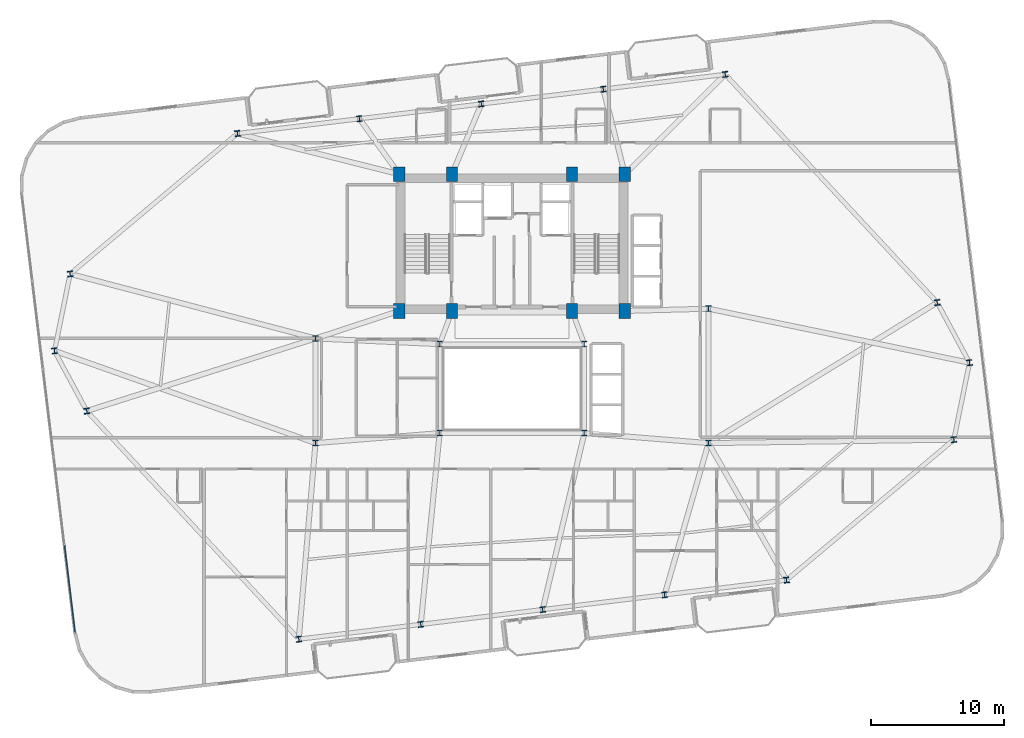
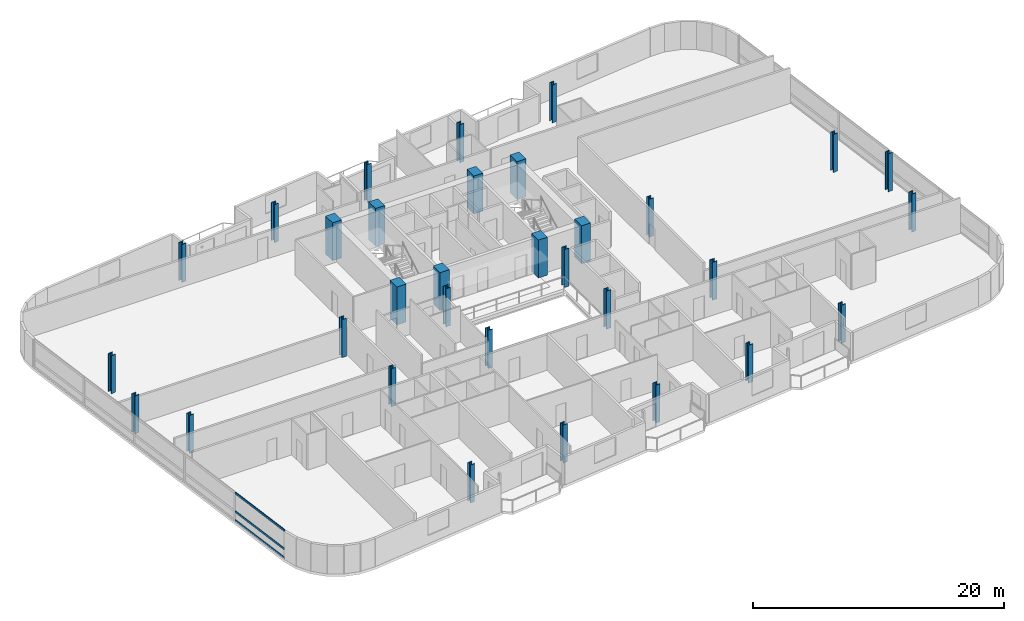
# One storey, part 1 of 23: 32 columns, 3 members, 1 element without a shape of its own.
"""IFC4 building model written with IfcOpenShell, lengths in metres."""

from ifc_helpers import new_model, si_unit, direction, frame, origin, origin_2d, place, context, subcontext, project, spatial, rectangle, hollow_rectangle, i_section, extrude, material, layer, layer_set, material_profile, profile_set, type_object, element, aggregate, save


model = new_model("IFC4")

# Units and contexts
model_context = context("Model", 3, precision=1e-05, world=origin(), true_north=direction((0.0, 1.0)))
body_context = subcontext(model_context, "Body", "Model", "MODEL_VIEW")
ifc_project = project(units=[si_unit("LENGTHUNIT", "METRE"), si_unit("AREAUNIT", "SQUARE_METRE"), si_unit("VOLUMEUNIT", "CUBIC_METRE"), si_unit("PLANEANGLEUNIT", "RADIAN"), si_unit("MASSUNIT", "GRAM", prefix="KILO")], contexts=[model_context])

# Site, building, storey
site_placement = place(None, origin())
site = spatial("IfcSite", under=ifc_project, at=site_placement, CompositionType="ELEMENT")
building_placement = place(site_placement, origin())
building = spatial("IfcBuilding", under=site, at=building_placement, Name="Varnelok Gate Tower", CompositionType="ELEMENT")
storey_placement = place(building_placement, frame((0.0, 0.0, 170.89990234375)))
storey = spatial("IfcBuildingStorey", under=building, at=storey_placement, Name="L43", CompositionType="ELEMENT", Elevation=170.89990234375)

# Columns
ifc_material_1 = material(Name="Concrete C60/75", Category="concrete")
ifc_material_profile_1 = material_profile(ifc_material_1, rectangle(XDim=0.85009765625, YDim=1.10009765625, at=origin_2d()), Name="RC1100X850")
ifc_profile_set_1 = profile_set([ifc_material_profile_1], Name="Concrete C60/75")
column_type_1 = type_object("IfcColumnType", Name="COL-RC1100X850", PredefinedType="COLUMN", material=ifc_profile_set_1)
for number, where, z_axis, x_axis, name in (
    (1, (30.699951171875, 28.75, 0.0), (0.0, 0.0, 1.0), (1.0, 0.0, 0.0), "L43 Core Spine Column SC1"),
    (2, (34.679931640625, 28.75, 0.0), (0.0, 0.0, 1.0), (1.0, 0.0, 0.0), "L43 Core Spine Column SC2"),
    (3, (43.719970703125, 28.75, 0.0), (0.0, 0.0, 1.0), (1.0, 0.0, 0.0), "L43 Core Spine Column SC3"),
    (4, (47.699951171875, 28.75, 0.0), (0.0, 0.0, 1.0), (1.0, 0.0, 0.0), "L43 Core Spine Column SC4"),
    (5, (30.699951171875, 39.050048828125, 0.0), (0.0, 0.0, 1.0), (1.0, 0.0, 0.0), "L43 Core Spine Column SC5"),
    (6, (34.679931640625, 39.050048828125, 0.0), (0.0, 0.0, 1.0), (1.0, 0.0, 0.0), "L43 Core Spine Column SC6"),
    (7, (43.719970703125, 39.050048828125, 0.0), (0.0, 0.0, 1.0), (1.0, 0.0, 0.0), "L43 Core Spine Column SC7"),
    (8, (47.699951171875, 39.050048828125, 0.0), (0.0, 0.0, 1.0), (1.0, 0.0, 0.0), "L43 Core Spine Column SC8"),
):
    element("IfcColumn", number, at=place(storey_placement, frame(where, z_axis=z_axis, x_axis=x_axis)), inside=storey, type_object=column_type_1, Name=name, PredefinedType="COLUMN", context=body_context, shape_type="SweptSolid", body=[
        extrude(rectangle(XDim=0.85009765625, YDim=1.10009765625, at=origin_2d()), origin(), (0.0, 0.0, 1.0), 3.7001953125),
    ])
ifc_material_2 = material(Name="Structural Steel ASTM A992 Grade 50", Category="steel")
ifc_material_profile_2 = material_profile(ifc_material_2, i_section(OverallWidth=0.412109375, OverallDepth=0.43505859375, WebThickness=0.035888671875, FlangeThickness=0.057373046875, FilletRadius=0.02490234375, at=origin_2d()), Name="W14X311")
ifc_profile_set_2 = profile_set([ifc_material_profile_2], Name="Structural Steel ASTM A992 Grade 50")
column_type_2 = type_object("IfcColumnType", Name="COL-W14X311", PredefinedType="COLUMN", material=ifc_profile_set_2)
for number, where, z_axis, x_axis, name in (
    (9, (23.142578125, 4.032958984375, 0.0), (0.0, 0.0, 1.0), (0.992732158755, 0.12034475881, 0.0), "L43 B4 Perimeter Column PC01"),
    (10, (32.325439453125, 5.146240234375, 0.0), (0.0, 0.0, 1.0), (0.992732158755, 0.12034475881, 0.0), "L43 B4 Perimeter Column PC02"),
    (11, (41.50830078125, 6.259521484375, 0.0), (0.0, 0.0, 1.0), (0.992732158755, 0.12034475881, 0.0), "L43 B4 Perimeter Column PC03"),
    (12, (50.69091796875, 7.37255859375, 0.0), (0.0, 0.0, 1.0), (0.992732158755, 0.12034475881, 0.0), "L43 B4 Perimeter Column PC04"),
    (13, (59.873779296875, 8.48583984375, 0.0), (0.0, 0.0, 1.0), (0.992732158755, 0.12034475881, 0.0), "L43 B4 Perimeter Column PC05"),
    (14, (72.476806640625, 19.059326171875, 0.0), (0.0, 0.0, 1.0), (0.992732158755, 0.12034475881, 0.0), "L43 B4 Perimeter Column PC06"),
    (15, (73.654296875, 24.85302734375, 0.0), (0.0, 0.0, 1.0), (0.992732158755, 0.12034475881, 0.0), "L43 B4 Perimeter Column PC07"),
    (16, (71.225341796875, 29.3837890625, 0.0), (0.0, 0.0, 1.0), (0.992732158755, 0.12034475881, 0.0), "L43 B4 Perimeter Column PC08"),
    (17, (55.25732421875, 46.56689453125, 0.0), (0.0, 0.0, 1.0), (0.992732158755, 0.12034475881, 0.0), "L43 B4 Perimeter Column PC09"),
    (18, (46.07470703125, 45.453857421875, 0.0), (0.0, 0.0, 1.0), (0.992732158755, 0.12034475881, 0.0), "L43 B4 Perimeter Column PC10"),
    (19, (36.891845703125, 44.340576171875, 0.0), (0.0, 0.0, 1.0), (0.992732158755, 0.12034475881, 0.0), "L43 B4 Perimeter Column PC11"),
    (20, (27.708984375, 43.227294921875, 0.0), (0.0, 0.0, 1.0), (0.992732158755, 0.12034475881, 0.0), "L43 B4 Perimeter Column PC12"),
    (21, (18.526123046875, 42.1142578125, 0.0), (0.0, 0.0, 1.0), (0.992732158755, 0.12034475881, 0.0), "L43 B4 Perimeter Column PC13"),
    (22, (5.923095703125, 31.540771484375, 0.0), (0.0, 0.0, 1.0), (0.992732158755, 0.12034475881, 0.0), "L43 B4 Perimeter Column PC14"),
    (23, (4.745849609375, 25.746826171875, 0.0), (0.0, 0.0, 1.0), (0.992732158755, 0.12034475881, 0.0), "L43 B4 Perimeter Column PC15"),
    (24, (7.1748046875, 21.21630859375, 0.0), (0.0, 0.0, 1.0), (0.992732158755, 0.12034475881, 0.0), "L43 B4 Perimeter Column PC16"),
):
    element("IfcColumn", number, at=place(storey_placement, frame(where, z_axis=z_axis, x_axis=x_axis)), inside=storey, type_object=column_type_2, Name=name, PredefinedType="COLUMN", context=body_context, shape_type="SweptSolid", body=[
        extrude(i_section(OverallWidth=0.412109375, OverallDepth=0.43505859375, WebThickness=0.035888671875, FlangeThickness=0.057373046875, FilletRadius=0.02490234375, at=origin_2d()), origin(), (0.0, 0.0, 1.0), 3.7001953125),
    ])
ifc_material_profile_3 = material_profile(ifc_material_2, i_section(OverallWidth=0.41796875, OverallDepth=0.455078125, WebThickness=0.0419921875, FlangeThickness=0.067626953125, FilletRadius=0.02490234375, at=origin_2d()), Name="W14X370")
ifc_profile_set_3 = profile_set([ifc_material_profile_3], Name="Structural Steel ASTM A992 Grade 50")
column_type_3 = type_object("IfcColumnType", Name="COL-W14X370", PredefinedType="COLUMN", material=ifc_profile_set_3)
for number, where, z_axis, x_axis, name in (
    (25, (33.75, 19.550048828125, 0.0), (0.0, 0.0, 1.0), (1.0, 0.0, 0.0), "L43 Atrium Spine Column AC1"),
    (26, (44.64990234375, 19.550048828125, 0.0), (0.0, 0.0, 1.0), (1.0, 0.0, 0.0), "L43 Atrium Spine Column AC2"),
    (27, (33.75, 26.25, 0.0), (0.0, 0.0, 1.0), (1.0, 0.0, 0.0), "L43 Atrium Spine Column AC3"),
    (28, (44.64990234375, 26.25, 0.0), (0.0, 0.0, 1.0), (1.0, 0.0, 0.0), "L43 Atrium Spine Column AC4"),
    (29, (24.39990234375, 18.800048828125, 0.0), (0.0, 0.0, 1.0), (1.0, 0.0, 0.0), "L43 Wing Spine Column WS1"),
    (30, (24.39990234375, 26.679931640625, 0.0), (0.0, 0.0, 1.0), (1.0, 0.0, 0.0), "L43 Wing Spine Column WS2"),
    (31, (54.0, 18.800048828125, 0.0), (0.0, 0.0, 1.0), (1.0, 0.0, 0.0), "L43 Wing Spine Column ES1"),
    (32, (54.0, 28.919921875, 0.0), (0.0, 0.0, 1.0), (1.0, 0.0, 0.0), "L43 Wing Spine Column ES2"),
):
    element("IfcColumn", number, at=place(storey_placement, frame(where, z_axis=z_axis, x_axis=x_axis)), inside=storey, type_object=column_type_3, Name=name, PredefinedType="COLUMN", context=body_context, shape_type="SweptSolid", body=[
        extrude(i_section(OverallWidth=0.41796875, OverallDepth=0.455078125, WebThickness=0.0419921875, FlangeThickness=0.067626953125, FilletRadius=0.02490234375, at=origin_2d()), origin(), (0.0, 0.0, 1.0), 3.7001953125),
    ])

# Curtain wall, members
ifc_material_3 = material(Name="Anodized Aluminum Alloy 6063-T6", Category="aluminium")
ifc_layer = layer(ifc_material_3, 0.179931640625)
ifc_layer_set = layer_set([ifc_layer], Name="Anodized Aluminum Alloy 6063-T6")
curtain_wall_type = type_object("IfcCurtainWallType", Name="CW4-RESIDENCE-VISION", PredefinedType="USERDEFINED", material=ifc_layer_set)
curtain_wall_placement = place(storey_placement, origin())
curtain_wall = element("IfcCurtainWall", 33, at=curtain_wall_placement, inside=storey, type_object=curtain_wall_type, Name="L43 West End Vision Curtain Wall", ObjectType="UNITISED CURTAIN WALL", PredefinedType="USERDEFINED")
ifc_material_profile_4 = material_profile(ifc_material_3, hollow_rectangle(XDim=0.074951171875, YDim=0.199951171875, WallThickness=0.00390625, at=origin_2d()), Name="ALU200X75X4")
ifc_profile_set_4 = profile_set([ifc_material_profile_4], Name="Anodized Aluminum Alloy 6063-T6")
member_type = type_object("IfcMemberType", Name="CW-TRAN-200", PredefinedType="USERDEFINED", material=ifc_profile_set_4)
member_1_placement = place(storey_placement, frame((6.29638671875, 4.564453125, 0.03759765625), z_axis=(-0.120369113246, 0.992729206066, 0.0), x_axis=(-0.992729206066, -0.120369113246, 0.0)))
member_1 = element("IfcMember", 34, at=member_1_placement, type_object=member_type, Name="CW4 transom 1.1", ObjectType="TRANSOM", PredefinedType="USERDEFINED", context=body_context, shape_type="SweptSolid", body=[
    extrude(hollow_rectangle(XDim=0.074951171875, YDim=0.199951171875, WallThickness=0.00390625, at=origin_2d()), origin(), (0.0, 0.0, 1.0), 6.567626953125),
])
member_2_placement = place(storey_placement, frame((6.29638671875, 4.564453125, 0.900146484375), z_axis=(-0.120369113246, 0.992729206066, 0.0), x_axis=(-0.992729206066, -0.120369113246, 0.0)))
member_2 = element("IfcMember", 35, at=member_2_placement, type_object=member_type, Name="CW4 transom 1.2", ObjectType="TRANSOM", PredefinedType="USERDEFINED", context=body_context, shape_type="SweptSolid", body=[
    extrude(hollow_rectangle(XDim=0.074951171875, YDim=0.199951171875, WallThickness=0.00390625, at=origin_2d()), origin(), (0.0, 0.0, 1.0), 6.567626953125),
])
member_3_placement = place(storey_placement, frame((6.29638671875, 4.564453125, 2.692626953125), z_axis=(-0.120369113246, 0.992729206066, 0.0), x_axis=(-0.992729206066, -0.120369113246, 0.0)))
member_3 = element("IfcMember", 36, at=member_3_placement, type_object=member_type, Name="CW4 transom 1.3", ObjectType="TRANSOM", PredefinedType="USERDEFINED", context=body_context, shape_type="SweptSolid", body=[
    extrude(hollow_rectangle(XDim=0.074951171875, YDim=0.199951171875, WallThickness=0.00390625, at=origin_2d()), origin(), (0.0, 0.0, 1.0), 6.567626953125),
])
aggregate(curtain_wall, [member_1, member_2, member_3])

save(model, "model.ifc")
